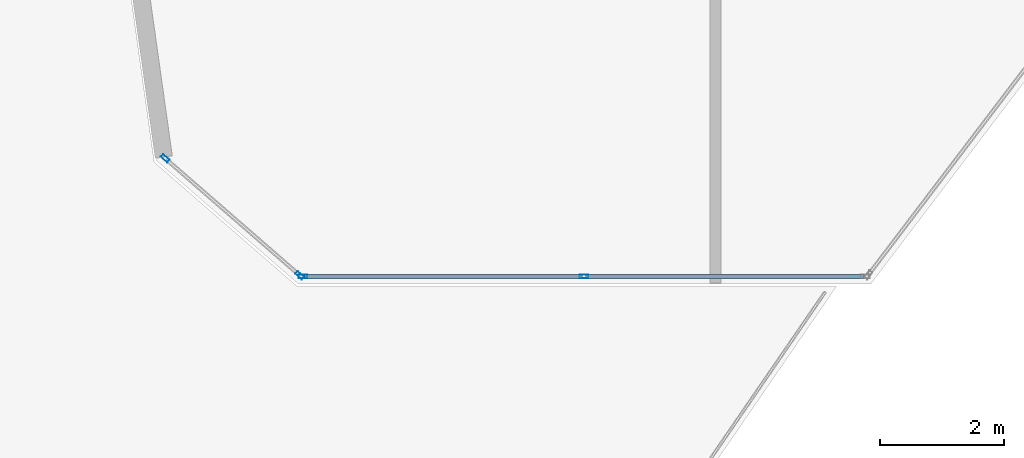
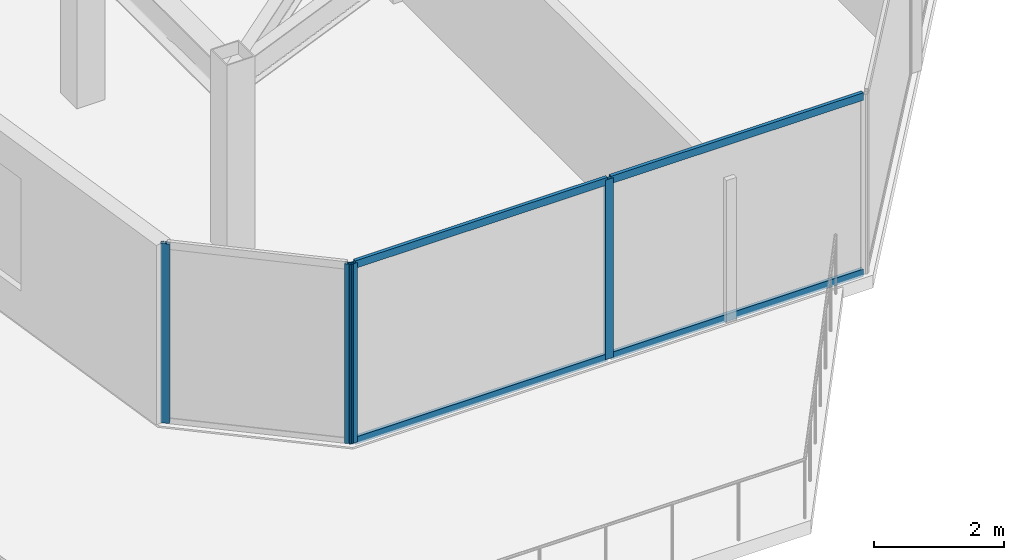
# One storey, part 2 of 21: 8 members, 2 elements without a shape of their own.
"""IFC4 building model written with IfcOpenShell, lengths in metres."""

from ifc_helpers import new_model, si_unit, direction, frame, origin, origin_2d, place, context, subcontext, project, spatial, hollow_rectangle, extrude, material, layer, layer_set, material_profile, profile_set, type_object, element, aggregate, save


model = new_model("IFC4")

# Units and contexts
model_context = context("Model", 3, precision=1e-05, world=origin(), true_north=direction((0.0, 1.0)))
body_context = subcontext(model_context, "Body", "Model", "MODEL_VIEW")
ifc_project = project(units=[si_unit("LENGTHUNIT", "METRE"), si_unit("AREAUNIT", "SQUARE_METRE"), si_unit("VOLUMEUNIT", "CUBIC_METRE"), si_unit("PLANEANGLEUNIT", "RADIAN"), si_unit("MASSUNIT", "GRAM", prefix="KILO")], contexts=[model_context])

# Site, building, storey
site_placement = place(None, origin())
site = spatial("IfcSite", under=ifc_project, at=site_placement, CompositionType="ELEMENT")
building_placement = place(site_placement, origin())
building = spatial("IfcBuilding", under=site, at=building_placement, Name="Kravanh Interchange Tower", CompositionType="ELEMENT")
storey_placement = place(building_placement, frame((0.0, 0.0, 231.0)))
storey = spatial("IfcBuildingStorey", under=building, at=storey_placement, Name="L55", CompositionType="ELEMENT", Elevation=231.0)

# Curtain wall, members
ifc_material_1 = material(Name="Anodised Bronze Aluminium", Category="aluminium")
ifc_layer = layer(ifc_material_1, 0.179931640625)
ifc_layer_set = layer_set([ifc_layer], Name="Unitised Curtain Wall System CW-HTL Luxury Hotel")
curtain_wall_type = type_object("IfcCurtainWallType", Name="Unitised Curtain Wall System CW-HTL Luxury Hotel", PredefinedType="NOTDEFINED", material=ifc_layer_set)
curtain_wall_1_placement = place(storey_placement, origin())
curtain_wall_1 = element("IfcCurtainWall", 1, at=curtain_wall_1_placement, inside=storey, type_object=curtain_wall_type, Name="L55 Unitised Curtain Wall CW-L55-06", PredefinedType="NOTDEFINED")
ifc_material_2 = material(Name="Anodised Bronze Aluminium", Category="aluminium")
ifc_material_profile_1 = material_profile(ifc_material_2, hollow_rectangle(XDim=0.06005859375, YDim=0.139892578125, WallThickness=0.00390625, at=origin_2d()), Name="ALU60X140X4")
ifc_profile_set_1 = profile_set([ifc_material_profile_1], Name="Anodised Bronze Aluminium")
member_type_1 = type_object("IfcMemberType", Name="Curtain Wall Mullion ALU60X140X4 Bronze", PredefinedType="MULLION", material=ifc_profile_set_1)
member_1_placement = place(storey_placement, frame((30.684326171875, 16.719970703125, 0.0), z_axis=(0.0, 0.0, 1.0), x_axis=(0.0, -1.0, 0.0)))
member_1 = element("IfcMember", 2, at=member_1_placement, type_object=member_type_1, Name="CW-HTL mullion 2", PredefinedType="MULLION", context=body_context, shape_type="SweptSolid", body=[
    extrude(hollow_rectangle(XDim=0.06005859375, YDim=0.139892578125, WallThickness=0.00390625, at=origin_2d()), origin(), (0.0, 0.0, 1.0), 3.360107421875),
])
member_2_placement = place(storey_placement, frame((26.158203125, 16.719970703125, 0.0), z_axis=(0.0, 0.0, 1.0), x_axis=(0.0, -1.0, 0.0)))
member_2 = element("IfcMember", 3, at=member_2_placement, type_object=member_type_1, Name="CW-HTL mullion 3", PredefinedType="MULLION", context=body_context, shape_type="SweptSolid", body=[
    extrude(hollow_rectangle(XDim=0.06005859375, YDim=0.139892578125, WallThickness=0.00390625, at=origin_2d()), origin(), (0.0, 0.0, 1.0), 3.360107421875),
])

curtain_wall_2_placement = place(storey_placement, origin())
curtain_wall_2 = element("IfcCurtainWall", 4, at=curtain_wall_2_placement, inside=storey, type_object=curtain_wall_type, Name="L55 Unitised Curtain Wall CW-L55-07", PredefinedType="NOTDEFINED")
member_3_placement = place(storey_placement, frame((26.10546875, 16.73974609375, 0.0), z_axis=(0.0, 0.0, 1.0), x_axis=(-0.656033323139, -0.75473192521, 0.0)))
member_3 = element("IfcMember", 5, at=member_3_placement, type_object=member_type_1, Name="CW-HTL mullion 1", PredefinedType="MULLION", context=body_context, shape_type="SweptSolid", body=[
    extrude(hollow_rectangle(XDim=0.06005859375, YDim=0.139892578125, WallThickness=0.00390625, at=origin_2d()), origin(), (0.0, 0.0, 1.0), 3.360107421875),
])
member_4_placement = place(storey_placement, frame((23.940185546875, 18.621826171875, 0.0), z_axis=(0.0, 0.0, 1.0), x_axis=(-0.656033323139, -0.75473192521, 0.0)))
member_4 = element("IfcMember", 6, at=member_4_placement, type_object=member_type_1, Name="CW-HTL mullion 2", PredefinedType="MULLION", context=body_context, shape_type="SweptSolid", body=[
    extrude(hollow_rectangle(XDim=0.06005859375, YDim=0.139892578125, WallThickness=0.00390625, at=origin_2d()), origin(), (0.0, 0.0, 1.0), 3.360107421875),
])
aggregate(curtain_wall_2, [member_3, member_4])

# Member
ifc_material_3 = material(Name="Anodised Bronze Aluminium", Category="aluminium")
ifc_material_profile_2 = material_profile(ifc_material_3, hollow_rectangle(XDim=0.06005859375, YDim=0.139892578125, WallThickness=0.00390625, at=origin_2d()), Name="ALU60X140X4")
ifc_profile_set_2 = profile_set([ifc_material_profile_2], Name="Anodised Bronze Aluminium")
member_type_2 = type_object("IfcMemberType", Name="Curtain Wall Transom ALU60X140X4 Bronze", PredefinedType="USERDEFINED", material=ifc_profile_set_2)
member_5_placement = place(storey_placement, frame((35.180419921875, 16.719970703125, 0.030029296875), z_axis=(-1.0, 0.0, 0.0), x_axis=(0.0, -1.0, 0.0)))
member_5 = element("IfcMember", 7, at=member_5_placement, type_object=member_type_2, Name="CW-HTL transom 1.1", ObjectType="TRANSOM", PredefinedType="USERDEFINED", context=body_context, shape_type="SweptSolid", body=[
    extrude(hollow_rectangle(XDim=0.06005859375, YDim=0.139892578125, WallThickness=0.00390625, at=origin_2d()), origin(), (0.0, 0.0, 1.0), 4.466064453125),
])

member_6_placement = place(storey_placement, frame((35.180419921875, 16.719970703125, 3.330078125), z_axis=(-1.0, 0.0, 0.0), x_axis=(0.0, -1.0, 0.0)))
member_6 = element("IfcMember", 8, at=member_6_placement, type_object=member_type_2, Name="CW-HTL transom 1.2", ObjectType="TRANSOM", PredefinedType="USERDEFINED", context=body_context, shape_type="SweptSolid", body=[
    extrude(hollow_rectangle(XDim=0.06005859375, YDim=0.139892578125, WallThickness=0.00390625, at=origin_2d()), origin(), (0.0, 0.0, 1.0), 4.466064453125),
])

member_7_placement = place(storey_placement, frame((30.654296875, 16.719970703125, 0.030029296875), z_axis=(-1.0, 0.0, 0.0), x_axis=(0.0, -1.0, 0.0)))
member_7 = element("IfcMember", 9, at=member_7_placement, type_object=member_type_2, Name="CW-HTL transom 2.1", ObjectType="TRANSOM", PredefinedType="USERDEFINED", context=body_context, shape_type="SweptSolid", body=[
    extrude(hollow_rectangle(XDim=0.06005859375, YDim=0.139892578125, WallThickness=0.00390625, at=origin_2d()), origin(), (0.0, 0.0, 1.0), 4.466064453125),
])

member_8_placement = place(storey_placement, frame((30.654296875, 16.719970703125, 3.330078125), z_axis=(-1.0, 0.0, 0.0), x_axis=(0.0, -1.0, 0.0)))
member_8 = element("IfcMember", 10, at=member_8_placement, type_object=member_type_2, Name="CW-HTL transom 2.2", ObjectType="TRANSOM", PredefinedType="USERDEFINED", context=body_context, shape_type="SweptSolid", body=[
    extrude(hollow_rectangle(XDim=0.06005859375, YDim=0.139892578125, WallThickness=0.00390625, at=origin_2d()), origin(), (0.0, 0.0, 1.0), 4.466064453125),
])

aggregate(curtain_wall_1, [member_1, member_2, member_5, member_6, member_7, member_8])

save(model, "model.ifc")
